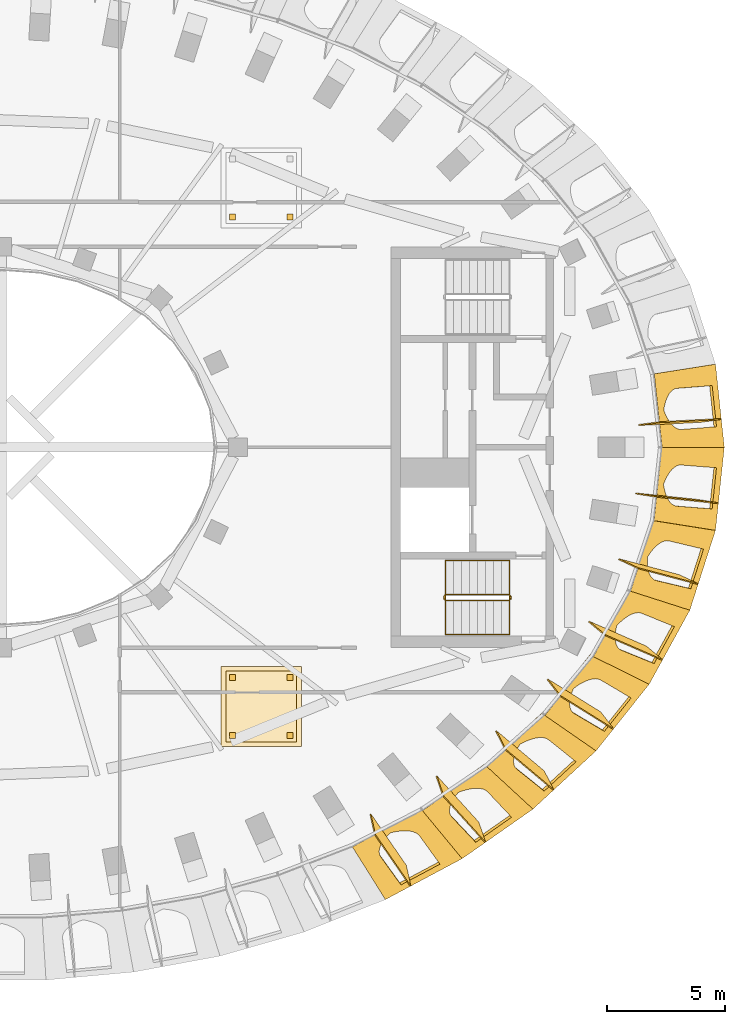
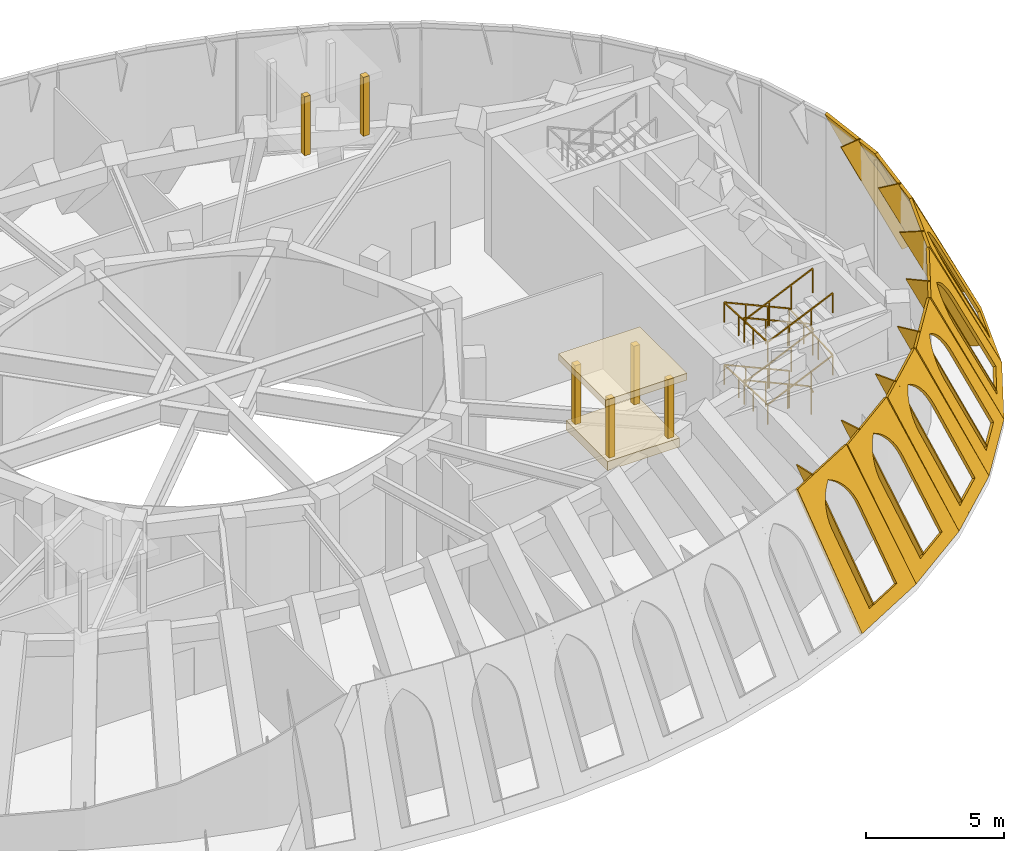
# One storey, part 11 of 13: 24 coverings, 2 railings.
"""IFC4 building model written with IfcOpenShell, lengths in metres."""

from ifc_helpers import new_model, si_unit, direction, frame, origin, origin_2d, place, context, subcontext, project, spatial, polyline, rectangle, outline, extrude, material, layer, layer_set, type_object, element, save


model = new_model("IFC4")

# Units and contexts
model_context = context("Model", 3, precision=1e-05, world=origin(), true_north=direction((0.0, 1.0)))
body_context = subcontext(model_context, "Body", "Model", "MODEL_VIEW")
ifc_project = project(units=[si_unit("LENGTHUNIT", "METRE"), si_unit("AREAUNIT", "SQUARE_METRE"), si_unit("VOLUMEUNIT", "CUBIC_METRE"), si_unit("PLANEANGLEUNIT", "RADIAN"), si_unit("MASSUNIT", "GRAM", prefix="KILO")], contexts=[model_context])

# Site, building, storey
site_placement = place(None, origin())
site = spatial("IfcSite", under=ifc_project, at=site_placement, CompositionType="ELEMENT")
building_placement = place(site_placement, origin())
building = spatial("IfcBuilding", under=site, at=building_placement, Name="Noorbagh Ring Tower", CompositionType="ELEMENT")
storey_placement = place(building_placement, frame((0.0, 0.0, 351.0)))
storey = spatial("IfcBuildingStorey", under=building, at=storey_placement, Name="L77", CompositionType="ELEMENT", Elevation=351.0)

# Railings
ifc_material_1 = material(Name="Stainless steel", Category="steel")
railing_type_1 = type_object("IfcRailingType", Name="CORE-STAIR-GUARD", PredefinedType="GUARDRAIL", material=ifc_material_1)
railing_1_placement = place(storey_placement, frame((21.580078125, -6.300048828125, 0.0)))
element("IfcRailing", 1, at=railing_1_placement, inside=storey, type_object=railing_type_1, Name="L77 ST4 stair guard", PredefinedType="GUARDRAIL", context=body_context, shape_type="SweptSolid", body=[
    extrude(rectangle(XDim=0.048095703125, YDim=0.048095703125, at=origin_2d()), frame((0.0, 0.0, 1.076171875), z_axis=(0.0, -1.0, 0.0), x_axis=(1.0, 0.0, 0.0)), (0.0, 0.0, 1.0), 0.14990234375),
    extrude(rectangle(XDim=0.048095703125, YDim=0.048095703125, at=origin_2d()), frame((0.0, -0.14990234375, 1.076171875), z_axis=(-0.195046945594, 0.779236333862, 0.595606770449), x_axis=(-0.970072785993, -0.242814311512, 0.0)), (0.0, 0.0, 1.0), 0.256591796875),
    extrude(rectangle(XDim=0.048095703125, YDim=0.048095703125, at=origin_2d()), frame((-0.050048828125, 0.050048828125, 1.22900390625), z_axis=(-0.912149621895, 0.0, 0.409857374312), x_axis=(0.0, -1.0, 0.0)), (0.0, 0.0, 1.0), 2.98193359375),
    extrude(rectangle(XDim=0.048095703125, YDim=0.048095703125, at=origin_2d()), frame((-2.77001953125, 0.050048828125, 2.451171875), z_axis=(-0.707106781187, -0.707106781187, 0.0), x_axis=(0.707106781187, -0.707106781187, 0.0)), (0.0, 0.0, 1.0), 0.07080078125),
    extrude(rectangle(XDim=0.048095703125, YDim=0.048095703125, at=origin_2d()), frame((-2.820068359375, 0.0, 2.451171875), z_axis=(0.0, -1.0, 0.0), x_axis=(1.0, 0.0, 0.0)), (0.0, 0.0, 1.0), 0.14990234375),
    extrude(rectangle(XDim=0.048095703125, YDim=0.048095703125, at=origin_2d()), frame((-2.820068359375, -0.14990234375, 2.451171875), z_axis=(0.297155754911, -0.297155754911, 0.90741220768), x_axis=(0.707106781187, 0.707106781187, 0.0)), (0.0, 0.0, 1.0), 0.16845703125),
    extrude(rectangle(XDim=0.048095703125, YDim=0.048095703125, at=origin_2d()), frame((-2.77001953125, -0.199951171875, 2.60400390625), z_axis=(0.912149621895, 0.0, 0.409857374312), x_axis=(0.0, 1.0, 0.0)), (0.0, 0.0, 1.0), 2.98193359375),
    extrude(rectangle(XDim=0.048095703125, YDim=0.048095703125, at=origin_2d()), frame((-0.050048828125, -0.199951171875, 3.826171875), z_axis=(0.242814311512, 0.970072785993, 0.0), x_axis=(-0.970072785993, 0.242814311512, 0.0)), (0.0, 0.0, 1.0), 0.2060546875),
    extrude(rectangle(XDim=0.048095703125, YDim=0.048095703125, at=origin_2d()), frame((0.0, 0.0, 3.826171875), z_axis=(0.0, -1.0, 0.0), x_axis=(1.0, 0.0, 0.0)), (0.0, 0.0, 1.0), 0.14990234375),
    extrude(rectangle(XDim=0.048095703125, YDim=0.048095703125, at=origin_2d()), frame((0.0, -0.14990234375, 3.826171875), z_axis=(-0.195046945594, 0.779236333862, 0.595606770449), x_axis=(-0.970072785993, -0.242814311512, 0.0)), (0.0, 0.0, 1.0), 0.256591796875),
    extrude(rectangle(XDim=0.048095703125, YDim=0.048095703125, at=origin_2d()), frame((-0.050048828125, 0.050048828125, 3.97900390625), z_axis=(-0.912149621895, 0.0, 0.409857374312), x_axis=(0.0, -1.0, 0.0)), (0.0, 0.0, 1.0), 2.98193359375),
    extrude(rectangle(XDim=0.048095703125, YDim=0.048095703125, at=origin_2d()), frame((-2.77001953125, 0.050048828125, 5.201171875), z_axis=(-0.707106781187, -0.707106781187, 0.0), x_axis=(0.707106781187, -0.707106781187, 0.0)), (0.0, 0.0, 1.0), 0.07080078125),
    extrude(rectangle(XDim=0.048095703125, YDim=0.048095703125, at=origin_2d()), frame((-2.820068359375, 0.0, 5.201171875), z_axis=(0.0, -1.0, 0.0), x_axis=(1.0, 0.0, 0.0)), (0.0, 0.0, 1.0), 0.14990234375),
    extrude(rectangle(XDim=0.048095703125, YDim=0.048095703125, at=origin_2d()), frame((-2.820068359375, -0.14990234375, 5.201171875), z_axis=(0.297155754911, -0.297155754911, 0.90741220768), x_axis=(0.707106781187, 0.707106781187, 0.0)), (0.0, 0.0, 1.0), 0.16845703125),
    extrude(rectangle(XDim=0.048095703125, YDim=0.048095703125, at=origin_2d()), frame((-2.77001953125, -0.199951171875, 5.35400390625), z_axis=(0.912149621895, 0.0, 0.409857374312), x_axis=(0.0, 1.0, 0.0)), (0.0, 0.0, 1.0), 2.98193359375),
    extrude(rectangle(XDim=0.0419921875, YDim=0.0419921875, at=origin_2d()), origin(), (0.0, 0.0, 1.0), 1.052001953125),
    extrude(rectangle(XDim=0.0419921875, YDim=0.0419921875, at=origin_2d()), frame((-0.956787109375, 0.050048828125, 0.560302734375)), (0.0, 0.0, 1.0), 1.052001953125),
    extrude(rectangle(XDim=0.0419921875, YDim=0.0419921875, at=origin_2d()), frame((-1.86328125, 0.050048828125, 0.967529296875)), (0.0, 0.0, 1.0), 1.052001953125),
    extrude(rectangle(XDim=0.0419921875, YDim=0.0419921875, at=origin_2d()), frame((-2.77001953125, 0.050048828125, 1.375)), (0.0, 0.0, 1.0), 1.052001953125),
    extrude(rectangle(XDim=0.0419921875, YDim=0.0419921875, at=origin_2d()), frame((-1.86328125, -0.199951171875, 1.935302734375)), (0.0, 0.0, 1.0), 1.052001953125),
    extrude(rectangle(XDim=0.0419921875, YDim=0.0419921875, at=origin_2d()), frame((-0.956787109375, -0.199951171875, 2.342529296875)), (0.0, 0.0, 1.0), 1.052001953125),
    extrude(rectangle(XDim=0.0419921875, YDim=0.0419921875, at=origin_2d()), frame((-0.050048828125, -0.199951171875, 2.75)), (0.0, 0.0, 1.0), 1.052001953125),
    extrude(rectangle(XDim=0.0419921875, YDim=0.0419921875, at=origin_2d()), frame((-0.956787109375, 0.050048828125, 3.310302734375)), (0.0, 0.0, 1.0), 1.052001953125),
    extrude(rectangle(XDim=0.0419921875, YDim=0.0419921875, at=origin_2d()), frame((-1.86328125, 0.050048828125, 3.717529296875)), (0.0, 0.0, 1.0), 1.052001953125),
    extrude(rectangle(XDim=0.0419921875, YDim=0.0419921875, at=origin_2d()), frame((-2.77001953125, 0.050048828125, 4.125)), (0.0, 0.0, 1.0), 1.052001953125),
    extrude(rectangle(XDim=0.0419921875, YDim=0.0419921875, at=origin_2d()), frame((-1.86328125, -0.199951171875, 4.685302734375)), (0.0, 0.0, 1.0), 1.052001953125),
    extrude(rectangle(XDim=0.0419921875, YDim=0.0419921875, at=origin_2d()), frame((-0.956787109375, -0.199951171875, 5.092529296875)), (0.0, 0.0, 1.0), 1.052001953125),
    extrude(rectangle(XDim=0.0419921875, YDim=0.0419921875, at=origin_2d()), frame((-0.050048828125, -0.199951171875, 5.5)), (0.0, 0.0, 1.0), 1.052001953125),
])
ifc_material_2 = material(Name="Stainless steel", Category="steel")
railing_type_2 = type_object("IfcRailingType", Name="CORE-STAIR-HANDRAIL", PredefinedType="HANDRAIL", material=ifc_material_2)
railing_2_placement = place(storey_placement, frame((21.530029296875, -4.800048828125, 0.15283203125)))
element("IfcRailing", 2, at=railing_2_placement, inside=storey, type_object=railing_type_2, Name="L77 ST4 stair handrail", PredefinedType="HANDRAIL", context=body_context, shape_type="SweptSolid", body=[
    extrude(rectangle(XDim=0.048095703125, YDim=0.048095703125, at=origin_2d()), frame((0.0, 0.0, 0.8759765625), z_axis=(-0.912149621895, 0.0, 0.409857374312), x_axis=(0.0, -1.0, 0.0)), (0.0, 0.0, 1.0), 2.98193359375),
    extrude(rectangle(XDim=0.048095703125, YDim=0.048095703125, at=origin_2d()), frame((-2.719970703125, 0.0, 2.09814453125), z_axis=(0.0, -0.998824997948, 0.048462598722), x_axis=(1.0, 0.0, 0.0)), (0.0, 0.0, 1.0), 3.153564453125),
    extrude(rectangle(XDim=0.048095703125, YDim=0.048095703125, at=origin_2d()), frame((-2.719970703125, -3.14990234375, 2.2509765625), z_axis=(0.912149621895, 0.0, 0.409857374312), x_axis=(0.0, 1.0, 0.0)), (0.0, 0.0, 1.0), 2.98193359375),
    extrude(rectangle(XDim=0.048095703125, YDim=0.048095703125, at=origin_2d()), frame((0.0, -3.14990234375, 3.47314453125), z_axis=(0.0, 0.998824997948, 0.048462598722), x_axis=(-1.0, 0.0, 0.0)), (0.0, 0.0, 1.0), 3.153564453125),
    extrude(rectangle(XDim=0.048095703125, YDim=0.048095703125, at=origin_2d()), frame((0.0, 0.0, 3.6259765625), z_axis=(-0.912149621895, 0.0, 0.409857374312), x_axis=(0.0, -1.0, 0.0)), (0.0, 0.0, 1.0), 2.98193359375),
    extrude(rectangle(XDim=0.048095703125, YDim=0.048095703125, at=origin_2d()), frame((-2.719970703125, 0.0, 4.84814453125), z_axis=(0.0, -0.998824997948, 0.048462598722), x_axis=(1.0, 0.0, 0.0)), (0.0, 0.0, 1.0), 3.153564453125),
    extrude(rectangle(XDim=0.048095703125, YDim=0.048095703125, at=origin_2d()), frame((-2.719970703125, -3.14990234375, 5.0009765625), z_axis=(0.912149621895, 0.0, 0.409857374312), x_axis=(0.0, 1.0, 0.0)), (0.0, 0.0, 1.0), 2.98193359375),
    extrude(rectangle(XDim=0.0419921875, YDim=0.0419921875, at=origin_2d()), origin(), (0.0, 0.0, 1.0), 0.851806640625),
    extrude(rectangle(XDim=0.0419921875, YDim=0.0419921875, at=origin_2d()), frame((-0.90673828125, 0.0, 0.407470703125)), (0.0, 0.0, 1.0), 0.851806640625),
    extrude(rectangle(XDim=0.0419921875, YDim=0.0419921875, at=origin_2d()), frame((-1.813232421875, 0.0, 0.814697265625)), (0.0, 0.0, 1.0), 0.851806640625),
    extrude(rectangle(XDim=0.0419921875, YDim=0.0419921875, at=origin_2d()), frame((-2.719970703125, 0.0, 1.22216796875)), (0.0, 0.0, 1.0), 0.851806640625),
    extrude(rectangle(XDim=0.0419921875, YDim=0.0419921875, at=origin_2d()), frame((-2.719970703125, -1.050048828125, 1.273193359375)), (0.0, 0.0, 1.0), 0.851806640625),
    extrude(rectangle(XDim=0.0419921875, YDim=0.0419921875, at=origin_2d()), frame((-2.719970703125, -2.099853515625, 1.323974609375)), (0.0, 0.0, 1.0), 0.851806640625),
    extrude(rectangle(XDim=0.0419921875, YDim=0.0419921875, at=origin_2d()), frame((-2.719970703125, -3.14990234375, 1.375)), (0.0, 0.0, 1.0), 0.851806640625),
    extrude(rectangle(XDim=0.0419921875, YDim=0.0419921875, at=origin_2d()), frame((-1.813232421875, -3.14990234375, 1.782470703125)), (0.0, 0.0, 1.0), 0.851806640625),
    extrude(rectangle(XDim=0.0419921875, YDim=0.0419921875, at=origin_2d()), frame((-0.90673828125, -3.14990234375, 2.189697265625)), (0.0, 0.0, 1.0), 0.851806640625),
    extrude(rectangle(XDim=0.0419921875, YDim=0.0419921875, at=origin_2d()), frame((0.0, -3.14990234375, 2.59716796875)), (0.0, 0.0, 1.0), 0.851806640625),
    extrude(rectangle(XDim=0.0419921875, YDim=0.0419921875, at=origin_2d()), frame((0.0, -2.099853515625, 2.648193359375)), (0.0, 0.0, 1.0), 0.851806640625),
    extrude(rectangle(XDim=0.0419921875, YDim=0.0419921875, at=origin_2d()), frame((0.0, -1.050048828125, 2.698974609375)), (0.0, 0.0, 1.0), 0.851806640625),
    extrude(rectangle(XDim=0.0419921875, YDim=0.0419921875, at=origin_2d()), frame((0.0, 0.0, 2.75)), (0.0, 0.0, 1.0), 0.851806640625),
    extrude(rectangle(XDim=0.0419921875, YDim=0.0419921875, at=origin_2d()), frame((-0.90673828125, 0.0, 3.157470703125)), (0.0, 0.0, 1.0), 0.851806640625),
    extrude(rectangle(XDim=0.0419921875, YDim=0.0419921875, at=origin_2d()), frame((-1.813232421875, 0.0, 3.564697265625)), (0.0, 0.0, 1.0), 0.851806640625),
    extrude(rectangle(XDim=0.0419921875, YDim=0.0419921875, at=origin_2d()), frame((-2.719970703125, 0.0, 3.97216796875)), (0.0, 0.0, 1.0), 0.851806640625),
    extrude(rectangle(XDim=0.0419921875, YDim=0.0419921875, at=origin_2d()), frame((-2.719970703125, -1.050048828125, 4.023193359375)), (0.0, 0.0, 1.0), 0.851806640625),
    extrude(rectangle(XDim=0.0419921875, YDim=0.0419921875, at=origin_2d()), frame((-2.719970703125, -2.099853515625, 4.073974609375)), (0.0, 0.0, 1.0), 0.851806640625),
    extrude(rectangle(XDim=0.0419921875, YDim=0.0419921875, at=origin_2d()), frame((-2.719970703125, -3.14990234375, 4.125)), (0.0, 0.0, 1.0), 0.851806640625),
    extrude(rectangle(XDim=0.0419921875, YDim=0.0419921875, at=origin_2d()), frame((-1.813232421875, -3.14990234375, 4.532470703125)), (0.0, 0.0, 1.0), 0.851806640625),
    extrude(rectangle(XDim=0.0419921875, YDim=0.0419921875, at=origin_2d()), frame((-0.90673828125, -3.14990234375, 4.939697265625)), (0.0, 0.0, 1.0), 0.851806640625),
    extrude(rectangle(XDim=0.0419921875, YDim=0.0419921875, at=origin_2d()), frame((0.0, -3.14990234375, 5.34716796875)), (0.0, 0.0, 1.0), 0.851806640625),
])

# Coverings
ifc_material_3 = material(Name="Aluminium 6063-T6 black anodised", Category="aluminium")
ifc_layer_1 = layer(ifc_material_3, 0.050048828125)
ifc_layer_set_1 = layer_set([ifc_layer_1], Name="Aluminium 6063-T6 black anodised")
covering_type_1 = type_object("IfcCoveringType", Name="STYLE-HEAD-FIN", PredefinedType="CLADDING", material=ifc_layer_set_1)
covering_1_placement = place(storey_placement, frame((30.5166015625, 1.1748046875, 0.0), z_axis=(0.132544157436, -0.990421986241, 0.038682496045), x_axis=(-0.430821401995, -0.022419848073, 0.902158672294)))
element("IfcCovering", 3, at=covering_1_placement, inside=storey, type_object=covering_type_1, Name="Fin rib F01 L77", ObjectType="FIN", PredefinedType="CLADDING", context=body_context, shape_type="SweptSolid", body=[
    extrude(outline(polyline([(0.0, 0.0), (6.098112242007869, 4.440892098500626e-16), (6.485120227505372, 0.8125895832130765), (0.38700798549750287, 0.8125895832130757), (0.0, 0.0)])), origin(), (0.0, 0.0, -1.0), 0.050048828125),
])
covering_2_placement = place(storey_placement, frame((17.348876953125, -18.60986328125, 0.0), z_axis=(0.960146345179, 0.216940741229, 0.176226305173), x_axis=(-0.246163302363, 0.357748287995, 0.900788427438)))
element("IfcCovering", 4, at=covering_2_placement, inside=storey, type_object=covering_type_1, Name="Fin rib F40 L77", ObjectType="FIN", PredefinedType="CLADDING", context=body_context, shape_type="SweptSolid", body=[
    extrude(outline(polyline([(0.0, 0.0), (6.099009458491974, 0.0), (6.461887252718225, -0.8236383877764717), (0.36293789268874216, -0.8236707054156718), (0.0, 0.0)])), origin(), (0.0, 0.0, -1.0), 0.050048828125),
])
covering_3_placement = place(storey_placement, frame((20.5205078125, -16.751953125, 0.0), z_axis=(0.928676483541, 0.321198381937, 0.18544969226), x_axis=(-0.29134057284, 0.322324030298, 0.900681902844)))
element("IfcCovering", 5, at=covering_3_placement, inside=storey, type_object=covering_type_1, Name="Fin rib F41 L77", ObjectType="FIN", PredefinedType="CLADDING", context=body_context, shape_type="SweptSolid", body=[
    extrude(outline(polyline([(0.0, 0.0), (6.0988946765299925, 0.0), (6.4587682878163655, -0.8249453650408887), (0.35987361128637296, -0.8249453650408887), (0.0, 0.0)])), origin(), (0.0, 0.0, -1.0), 0.050048828125),
])
covering_4_placement = place(storey_placement, frame((23.416015625, -14.526611328125, 0.0), z_axis=(0.873013491343, 0.452510659353, 0.181883333774), x_axis=(-0.332597979615, 0.279660820046, 0.900648882577)))
element("IfcCovering", 6, at=covering_4_placement, inside=storey, type_object=covering_type_1, Name="Fin rib F42 L77", ObjectType="FIN", PredefinedType="CLADDING", context=body_context, shape_type="SweptSolid", body=[
    extrude(outline(polyline([(0.0, 0.0), (6.098868728164689, 0.0), (6.460054284179762, -0.8243234937610628), (0.3612667566936901, -0.8244105756891451), (0.0, 0.0)])), origin(), (0.0, 0.0, -1.0), 0.050048828125),
])
covering_5_placement = place(storey_placement, frame((25.951416015625, -11.93798828125, 0.0), z_axis=(0.779007314807, 0.605062019505, 0.164461411977), x_axis=(-0.368663974331, 0.229829501209, 0.900702655933)))
element("IfcCovering", 7, at=covering_5_placement, inside=storey, type_object=covering_type_1, Name="Fin rib F43 L77", ObjectType="FIN", PredefinedType="CLADDING", context=body_context, shape_type="SweptSolid", body=[
    extrude(outline(polyline([(0.0, 0.0), (6.098483096164133, 4.440892098500626e-16), (6.465324630339863, -0.8217167980010722), (0.3668415341757292, -0.8217167980010722), (0.0, 0.0)])), origin(), (0.0, 0.0, -1.0), 0.050048828125),
])
covering_6_placement = place(storey_placement, frame((28.0283203125, -9.00732421875, 0.0), z_axis=(0.631422093689, 0.764133679394, 0.131931268533), x_axis=(-0.397918196086, 0.173262845084, 0.900911258525)))
element("IfcCovering", 8, at=covering_6_placement, inside=storey, type_object=covering_type_1, Name="Fin rib F44 L77", ObjectType="FIN", PredefinedType="CLADDING", context=body_context, shape_type="SweptSolid", body=[
    extrude(outline(polyline([(0.0, 0.0), (6.0981436999535905, 0.0), (6.473559880015704, -0.8179815776776231), (0.375319032065022, -0.8178190879686769), (0.0, 0.0)])), origin(), (0.0, 0.0, -1.0), 0.050048828125),
])
covering_7_placement = place(storey_placement, frame((29.541015625, -5.783203125, 0.0), z_axis=(0.421123798274, 0.903064576402, 0.084434100778), x_axis=(-0.418850883761, 0.111058339854, 0.901238027561)))
element("IfcCovering", 9, at=covering_7_placement, inside=storey, type_object=covering_type_1, Name="Fin rib F45 L77", ObjectType="FIN", PredefinedType="CLADDING", context=body_context, shape_type="SweptSolid", body=[
    extrude(outline(polyline([(0.0, 0.0), (6.098111088642948, 4.440892098500626e-16), (6.482000174614036, -0.814024036820133), (0.38388908597108823, -0.8140240368201334), (0.0, 0.0)])), origin(), (0.0, 0.0, -1.0), 0.050048828125),
])
covering_8_placement = place(storey_placement, frame((30.39208984375, -2.349609375, 0.0), z_axis=(0.155920437651, 0.987450910795, 0.025090155303), x_axis=(-0.430092683354, 0.045002125334, 0.901662404917)))
element("IfcCovering", 10, at=covering_8_placement, inside=storey, type_object=covering_type_1, Name="Fin rib F46 L77", ObjectType="FIN", PredefinedType="CLADDING", context=body_context, shape_type="SweptSolid", body=[
    extrude(outline(polyline([(0.0, 0.0), (6.098219914474853, -8.881784197001252e-16), (6.486853625939761, -0.8116910166216176), (0.3887387145614308, -0.8119081109215807), (0.0, 0.0)])), origin(), (0.0, 0.0, -1.0), 0.050048828125),
])
ifc_material_4 = material(Name="Red sandstone jali", Category="masonry")
ifc_layer_2 = layer(ifc_material_4, 0.1201171875)
ifc_layer_set_2 = layer_set([ifc_layer_2], Name="Red sandstone jali")
covering_type_2 = type_object("IfcCoveringType", Name="STYLE-HEAD-SKIN", PredefinedType="CLADDING", material=ifc_layer_set_2)
covering_9_placement = place(storey_placement, frame((30.64111328125, 0.0, 0.0), z_axis=(0.897366164299, 0.095105699463, 0.43091631798), x_axis=(-0.105393244421, 0.994430623035, 7.22919e-07)))
element("IfcCovering", 11, at=covering_9_placement, inside=storey, type_object=covering_type_2, Name="Head skin panel", ObjectType="HEAD SKIN", PredefinedType="CLADDING", context=body_context, shape_type="SweptSolid", body=[
    extrude(outline(polyline([(0.0, 0.0), (3.544189453125, 0.0), (3.410400390625, 6.094970703125), (0.2783203125, 6.094970703125), (0.0, 0.0)]), holes=[polyline([(0.901611328125, 0.550048828125), (0.94287109375, 4.02587890625), (0.960693359375, 4.2548828125), (1.008056640625, 4.47998046875), (1.084228515625, 4.697265625), (1.188232421875, 4.90283203125), (1.31787109375, 5.09375), (1.47119140625, 5.26611328125), (1.6455078125, 5.41748046875), (1.837890625, 5.544921875), (2.027099609375, 5.41748046875), (2.19775390625, 5.26611328125), (2.346923828125, 5.09375), (2.47216796875, 4.90283203125), (2.5712890625, 4.697265625), (2.642333984375, 4.47998046875), (2.6845703125, 4.2548828125), (2.69677734375, 4.02587890625), (2.655517578125, 0.550048828125), (0.901611328125, 0.550048828125)])]), origin(), (0.0, 0.0, -1.0), 0.1201171875),
])
covering_10_placement = place(storey_placement, frame((16.263916015625, -19.1884765625, 0.0), z_axis=(0.424330728868, -0.795800076924, 0.432025080413), x_axis=(0.882396060343, 0.470507377912, 4.731437e-06)))
element("IfcCovering", 12, at=covering_10_placement, inside=storey, type_object=covering_type_2, Name="Head skin panel", ObjectType="HEAD SKIN", PredefinedType="CLADDING", context=body_context, shape_type="SweptSolid", body=[
    extrude(outline(polyline([(0.0, 0.0), (3.688720703125, 0.0), (3.162353515625, 6.098388671875), (-0.18408203125, 6.0986328125), (0.0, 0.0)]), holes=[polyline([(0.87548828125, 0.550048828125), (0.6787109375, 3.925537109375), (0.6806640625, 4.170166015625), (0.714599609375, 4.41064453125), (0.77978515625, 4.642578125), (0.87548828125, 4.862548828125), (0.999755859375, 5.06640625), (1.150634765625, 5.250732421875), (1.325439453125, 5.412353515625), (1.521240234375, 5.548583984375), (1.733154296875, 5.412353515625), (1.9267578125, 5.250732421875), (2.09912109375, 5.06640625), (2.247314453125, 4.862548828125), (2.368408203125, 4.642578125), (2.460693359375, 4.41064453125), (2.5224609375, 4.170166015625), (2.552734375, 3.925537109375), (2.74951171875, 0.550048828125), (0.87548828125, 0.550048828125)])]), origin(), (0.0, 0.0, -1.0), 0.1201171875),
])
covering_11_placement = place(storey_placement, frame((19.518798828125, -17.452880859375, 0.0), z_axis=(0.517140944564, -0.739034083114, 0.43173356072), x_axis=(0.819324576879, 0.573329955289, 9.478617e-06)))
element("IfcCovering", 13, at=covering_11_placement, inside=storey, type_object=covering_type_2, Name="Head skin panel", ObjectType="HEAD SKIN", PredefinedType="CLADDING", context=body_context, shape_type="SweptSolid", body=[
    extrude(outline(polyline([(0.0, 0.0), (3.66748046875, 0.0), (3.10400390625, 6.097412109375), (-0.211181640625, 6.09765625), (0.0, 0.0)]), holes=[polyline([(0.87060546875, 0.550048828125), (0.6552734375, 3.939697265625), (0.65576171875, 4.18212890625), (0.68798828125, 4.42041015625), (0.75146484375, 4.650390625), (0.844970703125, 4.8681640625), (0.967041015625, 5.070068359375), (1.115478515625, 5.252685546875), (1.2880859375, 5.41259765625), (1.4814453125, 5.547607421875), (1.69189453125, 5.41259765625), (1.884765625, 5.252685546875), (2.056396484375, 5.070068359375), (2.2041015625, 4.8681640625), (2.325439453125, 4.650390625), (2.41796875, 4.42041015625), (2.48046875, 4.18212890625), (2.51171875, 3.939697265625), (2.727294921875, 0.550048828125), (0.87060546875, 0.550048828125)])]), origin(), (0.0, 0.0, -1.0), 0.1201171875),
])
covering_12_placement = place(storey_placement, frame((22.523681640625, -15.35009765625, 0.0), z_axis=(0.611813891168, -0.662793078396, 0.431728036853), x_axis=(0.734805554391, 0.678277816987, -1.4831456e-05)))
element("IfcCovering", 14, at=covering_12_placement, inside=storey, type_object=covering_type_2, Name="Head skin panel", ObjectType="HEAD SKIN", PredefinedType="CLADDING", context=body_context, shape_type="SweptSolid", body=[
    extrude(outline(polyline([(0.0, 0.0), (3.642333984375, 0.0), (3.06591796875, 6.09765625), (-0.2119140625, 6.097412109375), (0.0, 0.0)]), holes=[polyline([(0.867919921875, 0.550048828125), (0.6474609375, 3.9580078125), (0.647705078125, 4.197509765625), (0.67919921875, 4.43310546875), (0.74169921875, 4.660400390625), (0.833984375, 4.875732421875), (0.954345703125, 5.075439453125), (1.10107421875, 5.255859375), (1.271240234375, 5.414306640625), (1.46240234375, 5.547607421875), (1.670654296875, 5.414306640625), (1.861328125, 5.255859375), (2.03125, 5.075439453125), (2.177490234375, 4.875732421875), (2.2978515625, 4.660400390625), (2.3896484375, 4.43310546875), (2.45166015625, 4.197509765625), (2.48291015625, 3.9580078125), (2.703369140625, 0.550048828125), (0.867919921875, 0.550048828125)])]), origin(), (0.0, 0.0, -1.0), 0.1201171875),
])
covering_13_placement = place(storey_placement, frame((25.2001953125, -12.879638671875, 0.0), z_axis=(0.705010151312, -0.562400710764, 0.432048755443), x_axis=(0.623604421332, 0.781740062694, 8.608866e-06)))
element("IfcCovering", 15, at=covering_13_placement, inside=storey, type_object=covering_type_2, Name="Head skin panel", ObjectType="HEAD SKIN", PredefinedType="CLADDING", context=body_context, shape_type="SweptSolid", body=[
    extrude(outline(polyline([(0.0, 0.0), (3.613525390625, 0.0), (3.05517578125, 6.0986328125), (-0.179931640625, 6.0986328125), (0.0, 0.0)]), holes=[polyline([(0.86767578125, 0.550048828125), (0.659912109375, 3.9794921875), (0.6611328125, 4.216064453125), (0.693359375, 4.448486328125), (0.755859375, 4.6728515625), (0.847900390625, 4.885498046875), (0.967529296875, 5.08251953125), (1.113037109375, 5.2607421875), (1.28173828125, 5.4169921875), (1.470703125, 5.548583984375), (1.67578125, 5.4169921875), (1.863525390625, 5.2607421875), (2.030517578125, 5.08251953125), (2.174072265625, 4.885498046875), (2.291748046875, 4.6728515625), (2.381591796875, 4.448486328125), (2.44189453125, 4.216064453125), (2.4716796875, 3.9794921875), (2.67919921875, 0.550048828125), (0.86767578125, 0.550048828125)])]), origin(), (0.0, 0.0, -1.0), 0.1201171875),
])
covering_14_placement = place(storey_placement, frame((27.45361328125, -10.0546875, 0.0), z_axis=(0.790422866591, -0.433738538333, 0.432553548517), x_axis=(0.481078775956, 0.87667737, -1.5961245e-05)))
element("IfcCovering", 16, at=covering_14_placement, inside=storey, type_object=covering_type_2, Name="Head skin panel", ObjectType="HEAD SKIN", PredefinedType="CLADDING", context=body_context, shape_type="SweptSolid", body=[
    extrude(outline(polyline([(0.0, 0.0), (3.584228515625, 0.0), (3.08154296875, 6.100341796875), (-0.1103515625, 6.10009765625), (0.0, 0.0)]), holes=[polyline([(0.870849609375, 0.550048828125), (0.697509765625, 4.00244140625), (0.700927734375, 4.235595703125), (0.735107421875, 4.465087890625), (0.799072265625, 4.686279296875), (0.89208984375, 4.89599609375), (1.01220703125, 5.090576171875), (1.157470703125, 5.26611328125), (1.325439453125, 5.42041015625), (1.51318359375, 5.55029296875), (1.71435546875, 5.42041015625), (1.897705078125, 5.26611328125), (2.060791015625, 5.090576171875), (2.200439453125, 4.89599609375), (2.314453125, 4.686279296875), (2.400634765625, 4.465087890625), (2.457763671875, 4.235595703125), (2.48486328125, 4.00244140625), (2.658203125, 0.550048828125), (0.870849609375, 0.550048828125)])]), origin(), (0.0, 0.0, -1.0), 0.1201171875),
])
covering_15_placement = place(storey_placement, frame((29.177978515625, -6.91259765625, 0.0), z_axis=(0.858174500127, -0.275971766897, 0.432869623799), x_axis=(0.306141158926, 0.951986129522, -2.868771e-06)))
element("IfcCovering", 17, at=covering_15_placement, inside=storey, type_object=covering_type_2, Name="Head skin panel", ObjectType="HEAD SKIN", PredefinedType="CLADDING", context=body_context, shape_type="SweptSolid", body=[
    extrude(outline(polyline([(0.0, 0.0), (3.55908203125, 0.0), (3.15185546875, 6.101318359375), (-0.002197265625, 6.101318359375), (0.0, 0.0)]), holes=[polyline([(0.8779296875, 0.550048828125), (0.761474609375, 4.021484375), (0.768798828125, 4.252197265625), (0.806396484375, 4.478759765625), (0.873291015625, 4.697509765625), (0.968505859375, 4.90478515625), (1.09033203125, 5.0966796875), (1.23681640625, 5.2705078125), (1.405517578125, 5.4228515625), (1.59326171875, 5.55126953125), (1.789794921875, 5.4228515625), (1.968505859375, 5.2705078125), (2.126708984375, 5.0966796875), (2.261474609375, 4.90478515625), (2.37060546875, 4.697509765625), (2.452392578125, 4.478759765625), (2.5048828125, 4.252197265625), (2.52783203125, 4.021484375), (2.644287109375, 0.550048828125), (0.8779296875, 0.550048828125)])]), origin(), (0.0, 0.0, -1.0), 0.1201171875),
])
covering_16_placement = place(storey_placement, frame((30.267578125, -3.5244140625, 0.0), z_axis=(0.896648776635, -0.095029668454, 0.432423789207), x_axis=(0.105393246827, 0.99443062278, -7.24868e-07)))
element("IfcCovering", 18, at=covering_16_placement, inside=storey, type_object=covering_type_2, Name="Head skin panel", ObjectType="HEAD SKIN", PredefinedType="CLADDING", context=body_context, shape_type="SweptSolid", body=[
    extrude(outline(polyline([(0.0, 0.0), (3.544189453125, 0.0), (3.265869140625, 6.099853515625), (0.1337890625, 6.099853515625), (0.0, 0.0)]), holes=[polyline([(0.888671875, 0.550048828125), (0.847412109375, 4.031005859375), (0.859619140625, 4.259765625), (0.90185546875, 4.48486328125), (0.972900390625, 4.7021484375), (1.072021484375, 4.90771484375), (1.197265625, 5.0986328125), (1.346435546875, 5.27099609375), (1.51708984375, 5.42236328125), (1.706298828125, 5.5498046875), (1.898681640625, 5.42236328125), (2.072998046875, 5.27099609375), (2.226318359375, 5.0986328125), (2.35595703125, 4.90771484375), (2.4599609375, 4.7021484375), (2.5361328125, 4.48486328125), (2.58349609375, 4.259765625), (2.601318359375, 4.031005859375), (2.642578125, 0.550048828125), (0.888671875, 0.550048828125)])]), origin(), (0.0, 0.0, -1.0), 0.1201171875),
])
ifc_material_5 = material(Name="Red sandstone cladding", Category="masonry")
ifc_layer_3 = layer(ifc_material_5, 0.300048828125)
ifc_layer_set_3 = layer_set([ifc_layer_3], Name="Red sandstone cladding")
covering_type_3 = type_object("IfcCoveringType", Name="STYLE-KIOSK-CORNICE", PredefinedType="CLADDING", material=ifc_layer_set_3)
covering_17_placement = place(storey_placement, frame((11.0, -11.0, 8.5), z_axis=(0.0, 0.0, 1.0), x_axis=(1.0, 0.0, 0.0)))
element("IfcCovering", 19, at=covering_17_placement, inside=storey, type_object=covering_type_3, Name="Chhatri cornice", ObjectType="KIOSK", PredefinedType="CLADDING", context=body_context, shape_type="SweptSolid", body=[
    extrude(rectangle(XDim=3.39990234375, YDim=3.39990234375, at=origin_2d()), origin(), (0.0, 0.0, 1.0), 0.300048828125),
])
ifc_material_6 = material(Name="Red sandstone cladding", Category="masonry")
ifc_layer_4 = layer(ifc_material_6, 0.39990234375)
ifc_layer_set_4 = layer_set([ifc_layer_4], Name="Red sandstone cladding")
covering_type_4 = type_object("IfcCoveringType", Name="STYLE-KIOSK-PLINTH", PredefinedType="CLADDING", material=ifc_layer_set_4)
covering_18_placement = place(storey_placement, frame((11.0, -11.0, 5.5), z_axis=(0.0, 0.0, 1.0), x_axis=(1.0, 0.0, 0.0)))
element("IfcCovering", 20, at=covering_18_placement, inside=storey, type_object=covering_type_4, Name="Chhatri plinth", ObjectType="KIOSK", PredefinedType="CLADDING", context=body_context, shape_type="SweptSolid", body=[
    extrude(rectangle(XDim=3.0, YDim=3.0, at=origin_2d()), origin(), (0.0, 0.0, 1.0), 0.39990234375),
])
ifc_material_7 = material(Name="Red sandstone cladding", Category="masonry")
covering_type_5 = type_object("IfcCoveringType", Name="STYLE-KIOSK-POST", PredefinedType="CLADDING", material=ifc_material_7)
for number, where, z_axis, x_axis, name in (
    (21, (9.77490234375, 9.77490234375, 5.89990234375), (0.0, 0.0, 1.0), (1.0, 0.0, 0.0), "Chhatri post"),
    (22, (12.22509765625, 9.77490234375, 5.89990234375), (0.0, 0.0, 1.0), (1.0, 0.0, 0.0), "Chhatri post"),
    (23, (9.77490234375, -12.22509765625, 5.89990234375), (0.0, 0.0, 1.0), (1.0, 0.0, 0.0), "Chhatri post"),
    (24, (12.22509765625, -12.22509765625, 5.89990234375), (0.0, 0.0, 1.0), (1.0, 0.0, 0.0), "Chhatri post"),
    (25, (12.22509765625, -9.77490234375, 5.89990234375), (0.0, 0.0, 1.0), (1.0, 0.0, 0.0), "Chhatri post"),
    (26, (9.77490234375, -9.77490234375, 5.89990234375), (0.0, 0.0, 1.0), (1.0, 0.0, 0.0), "Chhatri post"),
):
    element("IfcCovering", number, at=place(storey_placement, frame(where, z_axis=z_axis, x_axis=x_axis)), inside=storey, type_object=covering_type_5, Name=name, ObjectType="KIOSK", PredefinedType="CLADDING", context=body_context, shape_type="SweptSolid", body=[
        extrude(rectangle(XDim=0.25, YDim=0.25, at=origin_2d()), origin(), (0.0, 0.0, 1.0), 2.60009765625),
    ])

save(model, "model.ifc")
